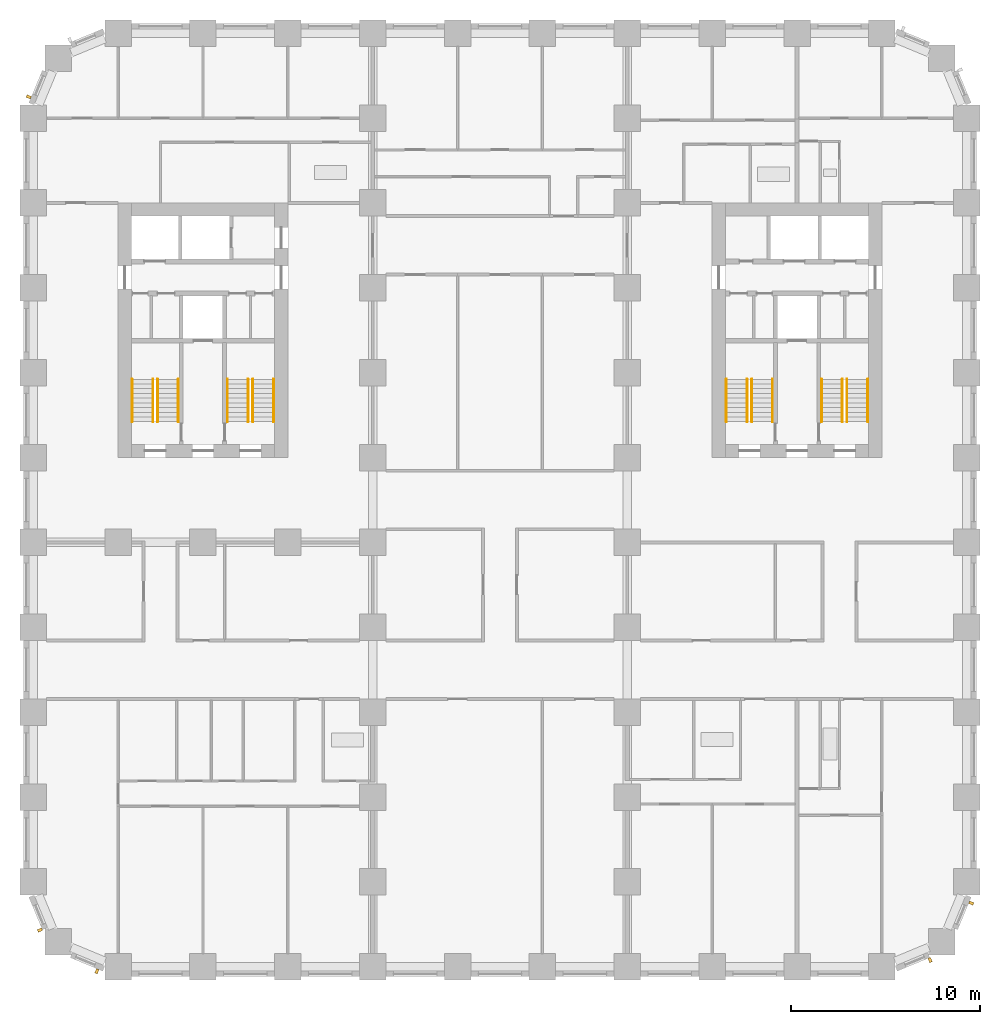
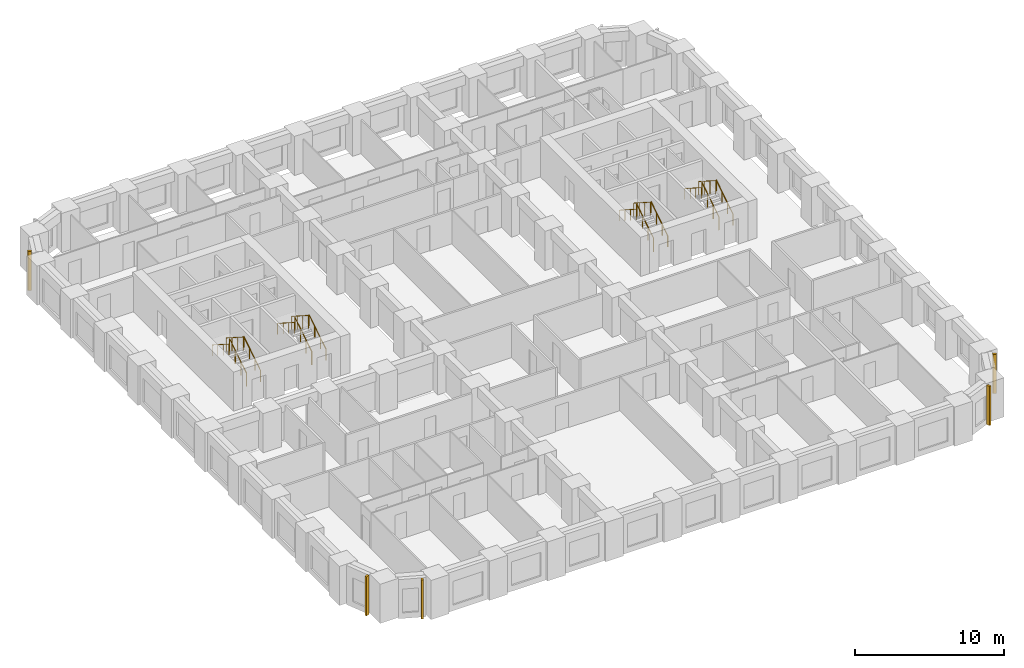
# One storey, part 11 of 13: 16 railings, 5 shading devices.
"""IFC4 building model written with IfcOpenShell, lengths in metres."""

from ifc_helpers import new_model, si_unit, direction, frame, origin, origin_2d, place, context, subcontext, project, spatial, rectangle, circle, extrude, material, type_object, element, save


model = new_model("IFC4")

# Units and contexts
model_context = context("Model", 3, precision=1e-05, world=origin(), true_north=direction((0.0, 1.0)))
body_context = subcontext(model_context, "Body", "Model", "MODEL_VIEW")
ifc_project = project(units=[si_unit("LENGTHUNIT", "METRE"), si_unit("AREAUNIT", "SQUARE_METRE"), si_unit("VOLUMEUNIT", "CUBIC_METRE"), si_unit("PLANEANGLEUNIT", "RADIAN"), si_unit("MASSUNIT", "GRAM", prefix="KILO")], contexts=[model_context])

# Site, building, storey
site_placement = place(None, origin())
site = spatial("IfcSite", under=ifc_project, at=site_placement, CompositionType="ELEMENT")
building_placement = place(site_placement, origin())
building = spatial("IfcBuilding", under=site, at=building_placement, Name="Girih Gate Residences", CompositionType="ELEMENT")
storey_placement = place(building_placement, frame((0.0, 0.0, 40.0)))
storey = spatial("IfcBuildingStorey", under=building, at=storey_placement, Name="L09", CompositionType="ELEMENT", Elevation=40.0)

# Shading devices
ifc_material_1 = material(Name="Precast concrete C50/60", Category="concrete")
shading_device_type = type_object("IfcShadingDeviceType", Name="Corner rib 150x250", PredefinedType="USERDEFINED", material=ifc_material_1)
for number, where, z_axis, x_axis, name in (
    (1, (0.35498046875, 1.9443359375, 0.0), (0.0, 0.0, 1.0), (0.382683432365, -0.923879532511, 0.0), "Corner rib SW0000_0045.0"),
    (2, (3.376220703125, -0.238037109375, 0.0), (0.0, 0.0, 1.0), (0.923879532511, -0.382683432365, 0.0), "Corner rib SW0013_0013.0"),
    (3, (47.5556640625, 0.35498046875, 0.0), (0.0, 0.0, 1.0), (0.923879532511, 0.382683432365, 0.0), "Corner rib SE0450_0000.0"),
    (4, (49.738037109375, 3.376220703125, 0.0), (0.0, 0.0, 1.0), (0.382683432365, 0.923879532511, 0.0), "Corner rib SE0482_0013.0"),
    (5, (-0.238037109375, 46.123779296875, 0.0), (0.0, 0.0, 1.0), (-0.382683432365, -0.923879532511, 0.0), "Corner rib NW0013_0482.0"),
):
    element("IfcShadingDevice", number, at=place(storey_placement, frame(where, z_axis=z_axis, x_axis=x_axis)), inside=storey, type_object=shading_device_type, Name=name, ObjectType="FIN", PredefinedType="USERDEFINED", context=body_context, shape_type="SweptSolid", body=[
        extrude(rectangle(XDim=0.14990234375, YDim=0.25, at=origin_2d()), origin(), (0.0, 0.0, 1.0), 3.199951171875),
    ])

# Railings
ifc_material_2 = material(Name="Stainless steel", Category="steel")
railing_type_1 = type_object("IfcRailingType", Name="Stair guard 1100", PredefinedType="GUARDRAIL", material=ifc_material_2)
railing_1_placement = place(storey_placement, frame((6.60009765625, 28.89990234375, 0.159912109375)))
element("IfcRailing", 6, at=railing_1_placement, inside=storey, type_object=railing_type_1, Name="L09 ST-W1 stair guard 1", PredefinedType="GUARDRAIL", context=body_context, shape_type="SweptSolid", body=[
    extrude(circle(Radius=0.02392578125, at=origin_2d()), frame((0.0, 0.0, 1.076171875), z_axis=(0.0, 0.842239864353, 0.539102968731), x_axis=(-1.0, 0.0, 0.0)), (0.0, 0.0, 1.0), 2.67138671875),
    extrude(circle(Radius=0.02099609375, at=origin_2d()), origin(), (0.0, 0.0, 1.0), 1.052001953125),
    extrude(circle(Radius=0.02099609375, at=origin_2d()), frame((0.0, 0.75, 0.47998046875)), (0.0, 0.0, 1.0), 1.052001953125),
    extrude(circle(Radius=0.02099609375, at=origin_2d()), frame((0.0, 1.5, 0.960205078125)), (0.0, 0.0, 1.0), 1.052001953125),
    extrude(circle(Radius=0.02099609375, at=origin_2d()), frame((0.0, 2.25, 1.440185546875)), (0.0, 0.0, 1.0), 1.052001953125),
])
railing_2_placement = place(storey_placement, frame((6.35009765625, 31.14990234375, 1.760009765625)))
element("IfcRailing", 7, at=railing_2_placement, inside=storey, type_object=railing_type_1, Name="L09 ST-W1 stair guard 2", PredefinedType="GUARDRAIL", context=body_context, shape_type="SweptSolid", body=[
    extrude(circle(Radius=0.02392578125, at=origin_2d()), frame((0.0, 0.0, 1.076171875), z_axis=(0.0, -0.842281359387, 0.539038135598), x_axis=(1.0, 0.0, 0.0)), (0.0, 0.0, 1.0), 2.67138671875),
    extrude(circle(Radius=0.02099609375, at=origin_2d()), origin(), (0.0, 0.0, 1.0), 1.052001953125),
    extrude(circle(Radius=0.02099609375, at=origin_2d()), frame((0.0, -0.75, 0.47998046875)), (0.0, 0.0, 1.0), 1.052001953125),
    extrude(circle(Radius=0.02099609375, at=origin_2d()), frame((0.0, -1.5, 0.9599609375)), (0.0, 0.0, 1.0), 1.052001953125),
    extrude(circle(Radius=0.02099609375, at=origin_2d()), frame((0.0, -2.25, 1.43994140625)), (0.0, 0.0, 1.0), 1.052001953125),
])
railing_3_placement = place(storey_placement, frame((11.64990234375, 28.89990234375, 0.159912109375)))
element("IfcRailing", 8, at=railing_3_placement, inside=storey, type_object=railing_type_1, Name="L09 ST-W2 stair guard 1", PredefinedType="GUARDRAIL", context=body_context, shape_type="SweptSolid", body=[
    extrude(circle(Radius=0.02392578125, at=origin_2d()), frame((0.0, 0.0, 1.076171875), z_axis=(0.0, 0.842239864353, 0.539102968731), x_axis=(-1.0, 0.0, 0.0)), (0.0, 0.0, 1.0), 2.67138671875),
    extrude(circle(Radius=0.02099609375, at=origin_2d()), origin(), (0.0, 0.0, 1.0), 1.052001953125),
    extrude(circle(Radius=0.02099609375, at=origin_2d()), frame((0.0, 0.75, 0.47998046875)), (0.0, 0.0, 1.0), 1.052001953125),
    extrude(circle(Radius=0.02099609375, at=origin_2d()), frame((0.0, 1.5, 0.960205078125)), (0.0, 0.0, 1.0), 1.052001953125),
    extrude(circle(Radius=0.02099609375, at=origin_2d()), frame((0.0, 2.25, 1.440185546875)), (0.0, 0.0, 1.0), 1.052001953125),
])
railing_4_placement = place(storey_placement, frame((11.39990234375, 31.14990234375, 1.760009765625)))
element("IfcRailing", 9, at=railing_4_placement, inside=storey, type_object=railing_type_1, Name="L09 ST-W2 stair guard 2", PredefinedType="GUARDRAIL", context=body_context, shape_type="SweptSolid", body=[
    extrude(circle(Radius=0.02392578125, at=origin_2d()), frame((0.0, 0.0, 1.076171875), z_axis=(0.0, -0.842281359387, 0.539038135598), x_axis=(1.0, 0.0, 0.0)), (0.0, 0.0, 1.0), 2.67138671875),
    extrude(circle(Radius=0.02099609375, at=origin_2d()), origin(), (0.0, 0.0, 1.0), 1.052001953125),
    extrude(circle(Radius=0.02099609375, at=origin_2d()), frame((0.0, -0.75, 0.47998046875)), (0.0, 0.0, 1.0), 1.052001953125),
    extrude(circle(Radius=0.02099609375, at=origin_2d()), frame((0.0, -1.5, 0.9599609375)), (0.0, 0.0, 1.0), 1.052001953125),
    extrude(circle(Radius=0.02099609375, at=origin_2d()), frame((0.0, -2.25, 1.43994140625)), (0.0, 0.0, 1.0), 1.052001953125),
])
railing_5_placement = place(storey_placement, frame((43.14990234375, 28.89990234375, 0.159912109375)))
element("IfcRailing", 10, at=railing_5_placement, inside=storey, type_object=railing_type_1, Name="L09 ST-E1 stair guard 1", PredefinedType="GUARDRAIL", context=body_context, shape_type="SweptSolid", body=[
    extrude(circle(Radius=0.02392578125, at=origin_2d()), frame((0.0, 0.0, 1.076171875), z_axis=(0.0, 0.842239864353, 0.539102968731), x_axis=(-1.0, 0.0, 0.0)), (0.0, 0.0, 1.0), 2.67138671875),
    extrude(circle(Radius=0.02099609375, at=origin_2d()), origin(), (0.0, 0.0, 1.0), 1.052001953125),
    extrude(circle(Radius=0.02099609375, at=origin_2d()), frame((0.0, 0.75, 0.47998046875)), (0.0, 0.0, 1.0), 1.052001953125),
    extrude(circle(Radius=0.02099609375, at=origin_2d()), frame((0.0, 1.5, 0.960205078125)), (0.0, 0.0, 1.0), 1.052001953125),
    extrude(circle(Radius=0.02099609375, at=origin_2d()), frame((0.0, 2.25, 1.440185546875)), (0.0, 0.0, 1.0), 1.052001953125),
])
railing_6_placement = place(storey_placement, frame((42.89990234375, 31.14990234375, 1.760009765625)))
element("IfcRailing", 11, at=railing_6_placement, inside=storey, type_object=railing_type_1, Name="L09 ST-E1 stair guard 2", PredefinedType="GUARDRAIL", context=body_context, shape_type="SweptSolid", body=[
    extrude(circle(Radius=0.02392578125, at=origin_2d()), frame((0.0, 0.0, 1.076171875), z_axis=(0.0, -0.842281359387, 0.539038135598), x_axis=(1.0, 0.0, 0.0)), (0.0, 0.0, 1.0), 2.67138671875),
    extrude(circle(Radius=0.02099609375, at=origin_2d()), origin(), (0.0, 0.0, 1.0), 1.052001953125),
    extrude(circle(Radius=0.02099609375, at=origin_2d()), frame((0.0, -0.75, 0.47998046875)), (0.0, 0.0, 1.0), 1.052001953125),
    extrude(circle(Radius=0.02099609375, at=origin_2d()), frame((0.0, -1.5, 0.9599609375)), (0.0, 0.0, 1.0), 1.052001953125),
    extrude(circle(Radius=0.02099609375, at=origin_2d()), frame((0.0, -2.25, 1.43994140625)), (0.0, 0.0, 1.0), 1.052001953125),
])
railing_7_placement = place(storey_placement, frame((38.10009765625, 28.89990234375, 0.159912109375)))
element("IfcRailing", 12, at=railing_7_placement, inside=storey, type_object=railing_type_1, Name="L09 ST-E2 stair guard 1", PredefinedType="GUARDRAIL", context=body_context, shape_type="SweptSolid", body=[
    extrude(circle(Radius=0.02392578125, at=origin_2d()), frame((0.0, 0.0, 1.076171875), z_axis=(0.0, 0.842239864353, 0.539102968731), x_axis=(-1.0, 0.0, 0.0)), (0.0, 0.0, 1.0), 2.67138671875),
    extrude(circle(Radius=0.02099609375, at=origin_2d()), origin(), (0.0, 0.0, 1.0), 1.052001953125),
    extrude(circle(Radius=0.02099609375, at=origin_2d()), frame((0.0, 0.75, 0.47998046875)), (0.0, 0.0, 1.0), 1.052001953125),
    extrude(circle(Radius=0.02099609375, at=origin_2d()), frame((0.0, 1.5, 0.960205078125)), (0.0, 0.0, 1.0), 1.052001953125),
    extrude(circle(Radius=0.02099609375, at=origin_2d()), frame((0.0, 2.25, 1.440185546875)), (0.0, 0.0, 1.0), 1.052001953125),
])
railing_8_placement = place(storey_placement, frame((37.85009765625, 31.14990234375, 1.760009765625)))
element("IfcRailing", 13, at=railing_8_placement, inside=storey, type_object=railing_type_1, Name="L09 ST-E2 stair guard 2", PredefinedType="GUARDRAIL", context=body_context, shape_type="SweptSolid", body=[
    extrude(circle(Radius=0.02392578125, at=origin_2d()), frame((0.0, 0.0, 1.076171875), z_axis=(0.0, -0.842281359387, 0.539038135598), x_axis=(1.0, 0.0, 0.0)), (0.0, 0.0, 1.0), 2.67138671875),
    extrude(circle(Radius=0.02099609375, at=origin_2d()), origin(), (0.0, 0.0, 1.0), 1.052001953125),
    extrude(circle(Radius=0.02099609375, at=origin_2d()), frame((0.0, -0.75, 0.47998046875)), (0.0, 0.0, 1.0), 1.052001953125),
    extrude(circle(Radius=0.02099609375, at=origin_2d()), frame((0.0, -1.5, 0.9599609375)), (0.0, 0.0, 1.0), 1.052001953125),
    extrude(circle(Radius=0.02099609375, at=origin_2d()), frame((0.0, -2.25, 1.43994140625)), (0.0, 0.0, 1.0), 1.052001953125),
])
railing_type_2 = type_object("IfcRailingType", Name="Stair handrail 900", PredefinedType="HANDRAIL", material=ifc_material_2)
railing_9_placement = place(storey_placement, frame((7.699951171875, 28.89990234375, 0.159912109375)))
element("IfcRailing", 14, at=railing_9_placement, inside=storey, type_object=railing_type_2, Name="L09 ST-W1 stair handrail 1", PredefinedType="HANDRAIL", context=body_context, shape_type="SweptSolid", body=[
    extrude(circle(Radius=0.02392578125, at=origin_2d()), frame((0.0, 0.0, 0.8857421875), z_axis=(0.0, 0.842239864353, 0.539102968731), x_axis=(-1.0, 0.0, 0.0)), (0.0, 0.0, 1.0), 2.67138671875),
    extrude(circle(Radius=0.02099609375, at=origin_2d()), origin(), (0.0, 0.0, 1.0), 0.86181640625),
    extrude(circle(Radius=0.02099609375, at=origin_2d()), frame((0.0, 0.75, 0.47998046875)), (0.0, 0.0, 1.0), 0.86181640625),
    extrude(circle(Radius=0.02099609375, at=origin_2d()), frame((0.0, 1.5, 0.960205078125)), (0.0, 0.0, 1.0), 0.86181640625),
    extrude(circle(Radius=0.02099609375, at=origin_2d()), frame((0.0, 2.25, 1.440185546875)), (0.0, 0.0, 1.0), 0.86181640625),
])
railing_10_placement = place(storey_placement, frame((5.25, 31.14990234375, 1.760009765625)))
element("IfcRailing", 15, at=railing_10_placement, inside=storey, type_object=railing_type_2, Name="L09 ST-W1 stair handrail 2", PredefinedType="HANDRAIL", context=body_context, shape_type="SweptSolid", body=[
    extrude(circle(Radius=0.02392578125, at=origin_2d()), frame((0.0, 0.0, 0.8857421875), z_axis=(0.0, -0.842281359387, 0.539038135598), x_axis=(1.0, 0.0, 0.0)), (0.0, 0.0, 1.0), 2.67138671875),
    extrude(circle(Radius=0.02099609375, at=origin_2d()), origin(), (0.0, 0.0, 1.0), 0.86181640625),
    extrude(circle(Radius=0.02099609375, at=origin_2d()), frame((0.0, -0.75, 0.47998046875)), (0.0, 0.0, 1.0), 0.86181640625),
    extrude(circle(Radius=0.02099609375, at=origin_2d()), frame((0.0, -1.5, 0.9599609375)), (0.0, 0.0, 1.0), 0.86181640625),
    extrude(circle(Radius=0.02099609375, at=origin_2d()), frame((0.0, -2.25, 1.43994140625)), (0.0, 0.0, 1.0), 0.86181640625),
])
railing_11_placement = place(storey_placement, frame((12.75, 28.89990234375, 0.159912109375)))
element("IfcRailing", 16, at=railing_11_placement, inside=storey, type_object=railing_type_2, Name="L09 ST-W2 stair handrail 1", PredefinedType="HANDRAIL", context=body_context, shape_type="SweptSolid", body=[
    extrude(circle(Radius=0.02392578125, at=origin_2d()), frame((0.0, 0.0, 0.8857421875), z_axis=(0.0, 0.842239864353, 0.539102968731), x_axis=(-1.0, 0.0, 0.0)), (0.0, 0.0, 1.0), 2.67138671875),
    extrude(circle(Radius=0.02099609375, at=origin_2d()), origin(), (0.0, 0.0, 1.0), 0.86181640625),
    extrude(circle(Radius=0.02099609375, at=origin_2d()), frame((0.0, 0.75, 0.47998046875)), (0.0, 0.0, 1.0), 0.86181640625),
    extrude(circle(Radius=0.02099609375, at=origin_2d()), frame((0.0, 1.5, 0.960205078125)), (0.0, 0.0, 1.0), 0.86181640625),
    extrude(circle(Radius=0.02099609375, at=origin_2d()), frame((0.0, 2.25, 1.440185546875)), (0.0, 0.0, 1.0), 0.86181640625),
])
railing_12_placement = place(storey_placement, frame((10.300048828125, 31.14990234375, 1.760009765625)))
element("IfcRailing", 17, at=railing_12_placement, inside=storey, type_object=railing_type_2, Name="L09 ST-W2 stair handrail 2", PredefinedType="HANDRAIL", context=body_context, shape_type="SweptSolid", body=[
    extrude(circle(Radius=0.02392578125, at=origin_2d()), frame((0.0, 0.0, 0.8857421875), z_axis=(0.0, -0.842281359387, 0.539038135598), x_axis=(1.0, 0.0, 0.0)), (0.0, 0.0, 1.0), 2.67138671875),
    extrude(circle(Radius=0.02099609375, at=origin_2d()), origin(), (0.0, 0.0, 1.0), 0.86181640625),
    extrude(circle(Radius=0.02099609375, at=origin_2d()), frame((0.0, -0.75, 0.47998046875)), (0.0, 0.0, 1.0), 0.86181640625),
    extrude(circle(Radius=0.02099609375, at=origin_2d()), frame((0.0, -1.5, 0.9599609375)), (0.0, 0.0, 1.0), 0.86181640625),
    extrude(circle(Radius=0.02099609375, at=origin_2d()), frame((0.0, -2.25, 1.43994140625)), (0.0, 0.0, 1.0), 0.86181640625),
])
railing_13_placement = place(storey_placement, frame((44.25, 28.89990234375, 0.159912109375)))
element("IfcRailing", 18, at=railing_13_placement, inside=storey, type_object=railing_type_2, Name="L09 ST-E1 stair handrail 1", PredefinedType="HANDRAIL", context=body_context, shape_type="SweptSolid", body=[
    extrude(circle(Radius=0.02392578125, at=origin_2d()), frame((0.0, 0.0, 0.8857421875), z_axis=(0.0, 0.842239864353, 0.539102968731), x_axis=(-1.0, 0.0, 0.0)), (0.0, 0.0, 1.0), 2.67138671875),
    extrude(circle(Radius=0.02099609375, at=origin_2d()), origin(), (0.0, 0.0, 1.0), 0.86181640625),
    extrude(circle(Radius=0.02099609375, at=origin_2d()), frame((0.0, 0.75, 0.47998046875)), (0.0, 0.0, 1.0), 0.86181640625),
    extrude(circle(Radius=0.02099609375, at=origin_2d()), frame((0.0, 1.5, 0.960205078125)), (0.0, 0.0, 1.0), 0.86181640625),
    extrude(circle(Radius=0.02099609375, at=origin_2d()), frame((0.0, 2.25, 1.440185546875)), (0.0, 0.0, 1.0), 0.86181640625),
])
railing_14_placement = place(storey_placement, frame((41.800048828125, 31.14990234375, 1.760009765625)))
element("IfcRailing", 19, at=railing_14_placement, inside=storey, type_object=railing_type_2, Name="L09 ST-E1 stair handrail 2", PredefinedType="HANDRAIL", context=body_context, shape_type="SweptSolid", body=[
    extrude(circle(Radius=0.02392578125, at=origin_2d()), frame((0.0, 0.0, 0.8857421875), z_axis=(0.0, -0.842281359387, 0.539038135598), x_axis=(1.0, 0.0, 0.0)), (0.0, 0.0, 1.0), 2.67138671875),
    extrude(circle(Radius=0.02099609375, at=origin_2d()), origin(), (0.0, 0.0, 1.0), 0.86181640625),
    extrude(circle(Radius=0.02099609375, at=origin_2d()), frame((0.0, -0.75, 0.47998046875)), (0.0, 0.0, 1.0), 0.86181640625),
    extrude(circle(Radius=0.02099609375, at=origin_2d()), frame((0.0, -1.5, 0.9599609375)), (0.0, 0.0, 1.0), 0.86181640625),
    extrude(circle(Radius=0.02099609375, at=origin_2d()), frame((0.0, -2.25, 1.43994140625)), (0.0, 0.0, 1.0), 0.86181640625),
])
railing_15_placement = place(storey_placement, frame((39.199951171875, 28.89990234375, 0.159912109375)))
element("IfcRailing", 20, at=railing_15_placement, inside=storey, type_object=railing_type_2, Name="L09 ST-E2 stair handrail 1", PredefinedType="HANDRAIL", context=body_context, shape_type="SweptSolid", body=[
    extrude(circle(Radius=0.02392578125, at=origin_2d()), frame((0.0, 0.0, 0.8857421875), z_axis=(0.0, 0.842239864353, 0.539102968731), x_axis=(-1.0, 0.0, 0.0)), (0.0, 0.0, 1.0), 2.67138671875),
    extrude(circle(Radius=0.02099609375, at=origin_2d()), origin(), (0.0, 0.0, 1.0), 0.86181640625),
    extrude(circle(Radius=0.02099609375, at=origin_2d()), frame((0.0, 0.75, 0.47998046875)), (0.0, 0.0, 1.0), 0.86181640625),
    extrude(circle(Radius=0.02099609375, at=origin_2d()), frame((0.0, 1.5, 0.960205078125)), (0.0, 0.0, 1.0), 0.86181640625),
    extrude(circle(Radius=0.02099609375, at=origin_2d()), frame((0.0, 2.25, 1.440185546875)), (0.0, 0.0, 1.0), 0.86181640625),
])
railing_16_placement = place(storey_placement, frame((36.75, 31.14990234375, 1.760009765625)))
element("IfcRailing", 21, at=railing_16_placement, inside=storey, type_object=railing_type_2, Name="L09 ST-E2 stair handrail 2", PredefinedType="HANDRAIL", context=body_context, shape_type="SweptSolid", body=[
    extrude(circle(Radius=0.02392578125, at=origin_2d()), frame((0.0, 0.0, 0.8857421875), z_axis=(0.0, -0.842281359387, 0.539038135598), x_axis=(1.0, 0.0, 0.0)), (0.0, 0.0, 1.0), 2.67138671875),
    extrude(circle(Radius=0.02099609375, at=origin_2d()), origin(), (0.0, 0.0, 1.0), 0.86181640625),
    extrude(circle(Radius=0.02099609375, at=origin_2d()), frame((0.0, -0.75, 0.47998046875)), (0.0, 0.0, 1.0), 0.86181640625),
    extrude(circle(Radius=0.02099609375, at=origin_2d()), frame((0.0, -1.5, 0.9599609375)), (0.0, 0.0, 1.0), 0.86181640625),
    extrude(circle(Radius=0.02099609375, at=origin_2d()), frame((0.0, -2.25, 1.43994140625)), (0.0, 0.0, 1.0), 0.86181640625),
])

save(model, "model.ifc")
